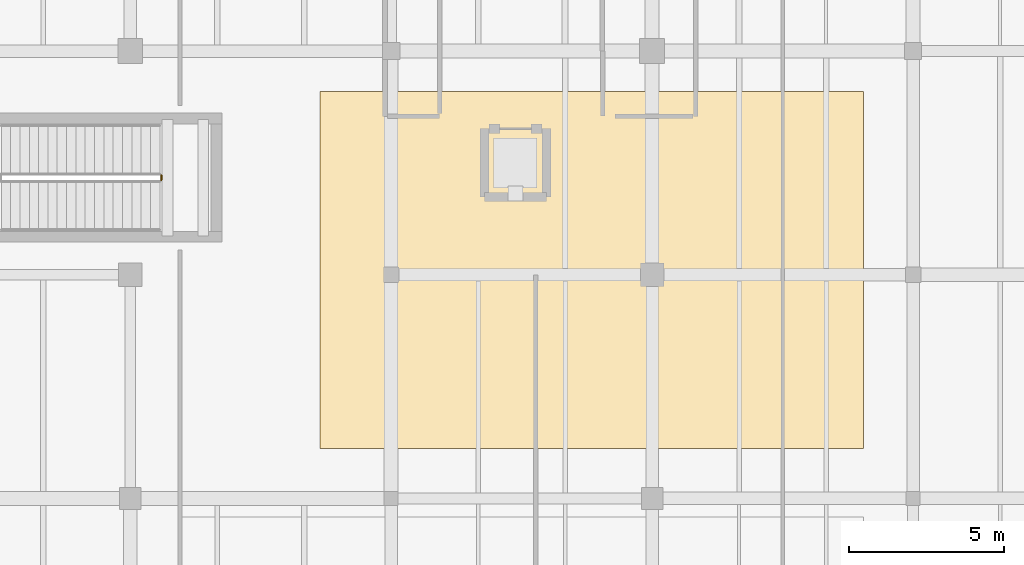
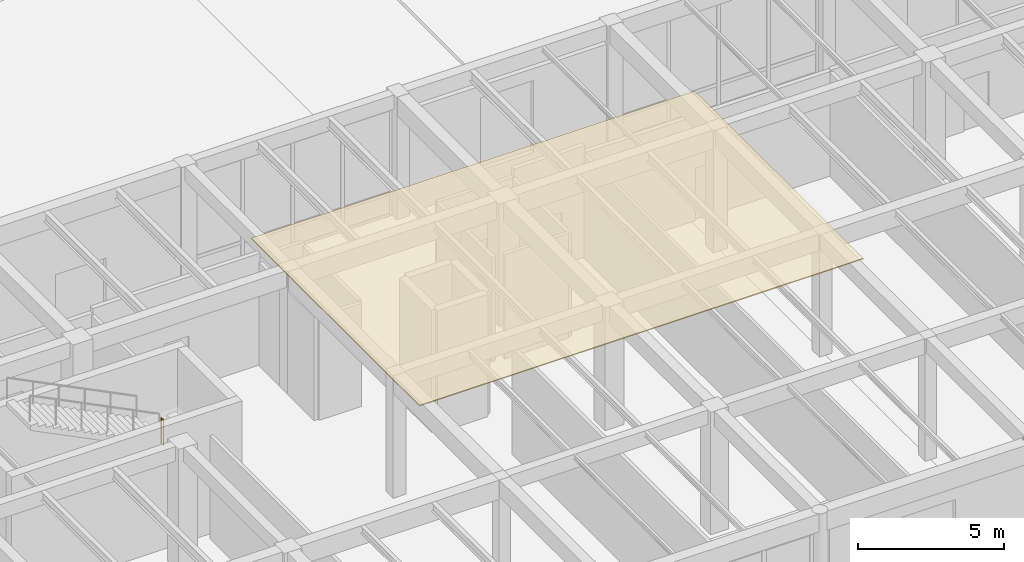
# One storey, part 149 of 169: 1 covering, 1 railing.
"""IFC4 building model written with IfcOpenShell, lengths in metres."""

import ifcopenshell
import ifcopenshell.guid

model = None  # the IFC model being written
_history = None  # IfcOwnerHistory: only IFC2X3 demands one
_inside = {}  # id of a spatial element -> (the spatial element, [elements in it])
_under = {}  # id of a project, library or spatial element -> (it, [spatial elements below it])
_declared = {}  # id of a project -> (the project, [libraries it declares])
_typed = {}  # id of a type object -> (the type object, [elements of that type])
_made_of = {}  # id of a material, layer set ... -> (it, [elements and type objects made of it])


def new_model(schema):
    """Start an empty IFC model of exactly this schema.

    Asked for "IFC4X3", IfcOpenShell would pick the latest addendum, in which some entities
    have other attributes; the version numbers below select the first issue.
    IFC2X3 requires an IfcOwnerHistory on every rooted entity: one is made here for all.
    """
    global model, _history
    if schema == "IFC4X3":
        model = ifcopenshell.file(schema_version=(4, 3, 0, 0))
    else:
        model = ifcopenshell.file(schema=schema)
    _inside.clear()
    _under.clear()
    _declared.clear()
    _typed.clear()
    _made_of.clear()
    _history = None
    if model.schema == "IFC2X3":
        org = make("IfcOrganization", Name="unknown")
        user = make(
            "IfcPersonAndOrganization",
            ThePerson=make("IfcPerson", FamilyName="unknown"),
            TheOrganization=org,
        )
        app = make(
            "IfcApplication",
            ApplicationDeveloper=org,
            Version="unknown",
            ApplicationFullName="unknown",
            ApplicationIdentifier="unknown",
        )
        _history = make(
            "IfcOwnerHistory",
            OwningUser=user,
            OwningApplication=app,
            ChangeAction="ADDED",
            CreationDate=0,
        )
    return model


def make(cls, **values):
    """One entity of the class cls with the attributes given. An attribute that is None is left unset."""
    return model.create_entity(
        cls, **{name: value for name, value in values.items() if value is not None}
    )


def rooted(cls, **values):
    """An entity with a GlobalId (a new one), such as an element, a storey or a relation."""
    return make(cls, GlobalId=ifcopenshell.guid.new(), OwnerHistory=_history, **values)


def si_unit(unit_type, name, prefix=None):
    """IfcSIUnit, for example si_unit("LENGTHUNIT", "METRE", prefix="MILLI")."""
    return make("IfcSIUnit", UnitType=unit_type, Prefix=prefix, Name=name)


def assignment(units):
    """IfcUnitAssignment: the units of a project."""
    return None if units is None else make("IfcUnitAssignment", Units=units)


def point(xyz):
    """IfcCartesianPoint."""
    return None if xyz is None else make("IfcCartesianPoint", Coordinates=xyz)


def direction(xyz):
    """IfcDirection."""
    return None if xyz is None else make("IfcDirection", DirectionRatios=xyz)


def frame(location, z_axis=None, x_axis=None):
    """IfcAxis2Placement3D, a coordinate frame: its origin and axes. An axis left out is left unset."""
    return make(
        "IfcAxis2Placement3D",
        Location=point(location),
        Axis=direction(z_axis),
        RefDirection=direction(x_axis),
    )


def frame_2d(location, x_axis=None):
    """IfcAxis2Placement2D, a coordinate frame in the plane: its origin and x axis."""
    return make(
        "IfcAxis2Placement2D", Location=point(location), RefDirection=direction(x_axis)
    )


def origin():
    """The frame at (0, 0, 0) with its axes left unset."""
    return frame((0.0, 0.0, 0.0))


def origin_2d():
    """The frame at (0, 0) in the plane with its x axis left unset."""
    return frame_2d((0.0, 0.0))


def place(relative_to, where):
    """IfcLocalPlacement: puts the frame where relative to a parent placement (None: the world)."""
    return make(
        "IfcLocalPlacement", PlacementRelTo=relative_to, RelativePlacement=where
    )


def context(
    kind, dimensions, precision=None, world=None, true_north=None, identifier=None
):
    """IfcGeometricRepresentationContext, for example the 3D "Model" context."""
    return make(
        "IfcGeometricRepresentationContext",
        ContextIdentifier=identifier,
        ContextType=kind,
        CoordinateSpaceDimension=dimensions,
        Precision=precision,
        WorldCoordinateSystem=world,
        TrueNorth=true_north,
    )


def subcontext(parent, identifier, kind, view, scale=None):
    """IfcGeometricRepresentationSubContext, for example "Body" below "Model"."""
    return make(
        "IfcGeometricRepresentationSubContext",
        ContextIdentifier=identifier,
        ContextType=kind,
        ParentContext=parent,
        TargetScale=scale,
        TargetView=view,
    )


def project(units=None, contexts=None):
    """IfcProject with its units and contexts."""
    return rooted(
        "IfcProject",
        Name="project",
        RepresentationContexts=contexts,
        UnitsInContext=assignment(units),
    )


def spatial(cls, under=None, at=None, **own):
    """A site, building, storey or space (cls), placed at a placement, below another one or the project."""
    s = rooted(cls, ObjectPlacement=at, **own)
    if under is not None:
        _under.setdefault(under.id(), (under, []))[1].append(s)
    return s


def polyline(points):
    """IfcPolyline through the points."""
    return make("IfcPolyline", Points=[point(p) for p in points])


def profile(cls, at=None, kind="AREA", **sizes):
    """A parametric profile (cls). Its sizes go by their IFC names, for example OverallWidth=200.0."""
    return make(cls, ProfileType=kind, Position=at, **sizes)


def circle(**sizes):
    """IfcCircleProfileDef."""
    return profile("IfcCircleProfileDef", **sizes)


def outline(outer, holes=None, kind="AREA"):
    """IfcArbitraryClosedProfileDef: a profile drawn as a closed curve; with holes, ...WithVoids."""
    if holes is None:
        return make("IfcArbitraryClosedProfileDef", ProfileType=kind, OuterCurve=outer)
    return make(
        "IfcArbitraryProfileDefWithVoids",
        ProfileType=kind,
        OuterCurve=outer,
        InnerCurves=holes,
    )


def extrude(swept, where, along, depth):
    """IfcExtrudedAreaSolid: the profile swept, set in the frame where, extruded along a direction by depth."""
    return make(
        "IfcExtrudedAreaSolid",
        SweptArea=swept,
        Position=where,
        ExtrudedDirection=direction(along),
        Depth=depth,
    )


def shape(context_of_items, identifier, shape_type, items):
    """IfcShapeRepresentation: the items that make up one representation, for example the "Body"."""
    return make(
        "IfcShapeRepresentation",
        ContextOfItems=context_of_items,
        RepresentationIdentifier=identifier,
        RepresentationType=shape_type,
        Items=items,
    )


def material(Name=None, Category=None):
    """IfcMaterial."""
    return make("IfcMaterial", Name=Name, Category=Category)


def layer(
    of_material, thickness, ventilated=None, Name=None, Category=None, Priority=None
):
    """IfcMaterialLayer: one layer of a wall or slab, of a material (None: an air gap)."""
    return make(
        "IfcMaterialLayer",
        Material=of_material,
        LayerThickness=thickness,
        IsVentilated=ventilated,
        Name=Name,
        Category=Category,
        Priority=Priority,
    )


def layer_set(layers, Name=None):
    """IfcMaterialLayerSet."""
    return make("IfcMaterialLayerSet", MaterialLayers=layers, LayerSetName=Name)


def made_of(thing, what):
    """Note that an element or type object is made of a material, layer set ...; save() writes the relation."""
    if what is not None:
        _made_of.setdefault(what.id(), (what, []))[1].append(thing)
    return thing


def type_object(cls, material=None, **own):
    """A type object (cls), such as IfcWallType, which elements share."""
    return made_of(rooted(cls, **own), material)


def element(
    cls,
    number,
    at=None,
    inside=None,
    cuts=None,
    type_object=None,
    material=None,
    context=None,
    identifier="Body",
    shape_type=None,
    held_by="IfcProductDefinitionShape",
    body=None,
    shapes=None,
    **own,
):
    """One element of the class cls, such as IfcWall. Its Tag is "e" and its number.

    at: its placement. inside: the storey or other place that contains it. cuts: it is an
    opening in that element (IfcRelVoidsElement). A single representation is given by context,
    identifier, shape_type and body (its items); several are given by shapes. held_by: the class
    of the entity that holds the representations. save() writes the other relations.
    """
    e = rooted(cls, Tag="e%d" % number, ObjectPlacement=at, **own)
    if body is not None:
        shapes = [shape(context, identifier, shape_type, body)]
    if shapes is not None:
        e.Representation = make(held_by, Representations=shapes)
    if inside is not None:
        _inside.setdefault(inside.id(), (inside, []))[1].append(e)
    if cuts is not None:
        rooted(
            "IfcRelVoidsElement", RelatingBuildingElement=cuts, RelatedOpeningElement=e
        )
    if type_object is not None:
        _typed.setdefault(type_object.id(), (type_object, []))[1].append(e)
    return made_of(e, material)


def aggregate(whole, parts):
    """IfcRelAggregates: a whole, such as a stair, and the parts it consists of."""
    return rooted("IfcRelAggregates", RelatingObject=whole, RelatedObjects=parts)


def save(model, path):
    """Write the relations noted so far, then the file.

    IfcRelAggregates (storeys below a building ...), IfcRelContainedInSpatialStructure (elements
    in a storey), IfcRelDefinesByType, IfcRelAssociatesMaterial and IfcRelDeclares: one each for
    every whole, place, type object, material and project.
    """
    for whole, parts in _under.values():
        aggregate(whole, parts)
    for where, things in _inside.values():
        rooted(
            "IfcRelContainedInSpatialStructure",
            RelatedElements=things,
            RelatingStructure=where,
        )
    for kind, things in _typed.values():
        rooted("IfcRelDefinesByType", RelatedObjects=things, RelatingType=kind)
    for what, things in _made_of.values():
        rooted("IfcRelAssociatesMaterial", RelatedObjects=things, RelatingMaterial=what)
    for by, libraries in _declared.values():
        rooted("IfcRelDeclares", RelatingContext=by, RelatedDefinitions=libraries)
    model.write(path)


model = new_model("IFC4")

# Units and contexts
model_context = context("Model", 3, precision=1e-05, world=origin(), true_north=direction((0.0, 1.0)))
body_context = subcontext(model_context, "Body", "Model", "MODEL_VIEW")
ifc_project = project(units=[si_unit("LENGTHUNIT", "METRE"), si_unit("AREAUNIT", "SQUARE_METRE"), si_unit("VOLUMEUNIT", "CUBIC_METRE"), si_unit("PLANEANGLEUNIT", "RADIAN"), si_unit("MASSUNIT", "GRAM", prefix="KILO")], contexts=[model_context])

# Site, building, storey
site_placement = place(None, origin())
site = spatial("IfcSite", under=ifc_project, at=site_placement, CompositionType="ELEMENT")
building_placement = place(site_placement, origin())
building = spatial("IfcBuilding", under=site, at=building_placement, Name="Mazaris Harbour Polytechnic", CompositionType="ELEMENT")
storey_placement = place(building_placement, origin())
storey = spatial("IfcBuildingStorey", under=building, at=storey_placement, Name="L00", CompositionType="ELEMENT", Elevation=0.0)

# Covering
ifc_material_1 = material(Name="Glulam Acoustic Timber Slat", Category="wood")
ifc_layer = layer(ifc_material_1, 0.0400390625, Name="Glulam Acoustic Timber Slat")
ifc_layer_set = layer_set([ifc_layer], Name="Glulam Acoustic Timber Slat")
covering_type = type_object("IfcCoveringType", Name="Acoustic Perforated Timber Ceiling 40", PredefinedType="CEILING", material=ifc_layer_set)
covering_placement = place(storey_placement, frame((0.0, 0.0, 7.800048828125)))
element("IfcCovering", 1, at=covering_placement, inside=storey, type_object=covering_type, Name="Covering COV-CE-03", PredefinedType="CEILING", context=body_context, shape_type="SweptSolid", body=[
    extrude(outline(polyline([(68.5, 16.0), (86.0, 16.0), (86.0, 27.5), (68.5, 27.5), (68.5, 16.0)])), origin(), (0.0, 0.0, 1.0), 0.0400390625),
])

# Railing
ifc_material_2 = material(Name="Steel S355", Category="steel")
railing_type = type_object("IfcRailingType", Name="Stair Well Guardrail 1100", PredefinedType="GUARDRAIL", material=ifc_material_2)
railing_placement = place(storey_placement, frame((63.39990234375, 24.64990234375, 2.699951171875)))
element("IfcRailing", 2, at=railing_placement, inside=storey, type_object=railing_type, Name="L00 ST05 stair guard 2", PredefinedType="GUARDRAIL", context=body_context, shape_type="SweptSolid", body=[
    extrude(circle(Radius=0.02392578125, at=origin_2d()), frame((0.0, 0.0, 1.076171875), z_axis=(0.0, 1.0, 0.0), x_axis=(-1.0, 0.0, 0.0)), (0.0, 0.0, 1.0), 0.150146484375),
    extrude(circle(Radius=0.02099609375, at=origin_2d()), origin(), (0.0, 0.0, 1.0), 1.052001953125),
    extrude(circle(Radius=0.02099609375, at=origin_2d()), frame((0.0, 0.150146484375, 0.0)), (0.0, 0.0, 1.0), 1.052001953125),
])

save(model, "model.ifc")
